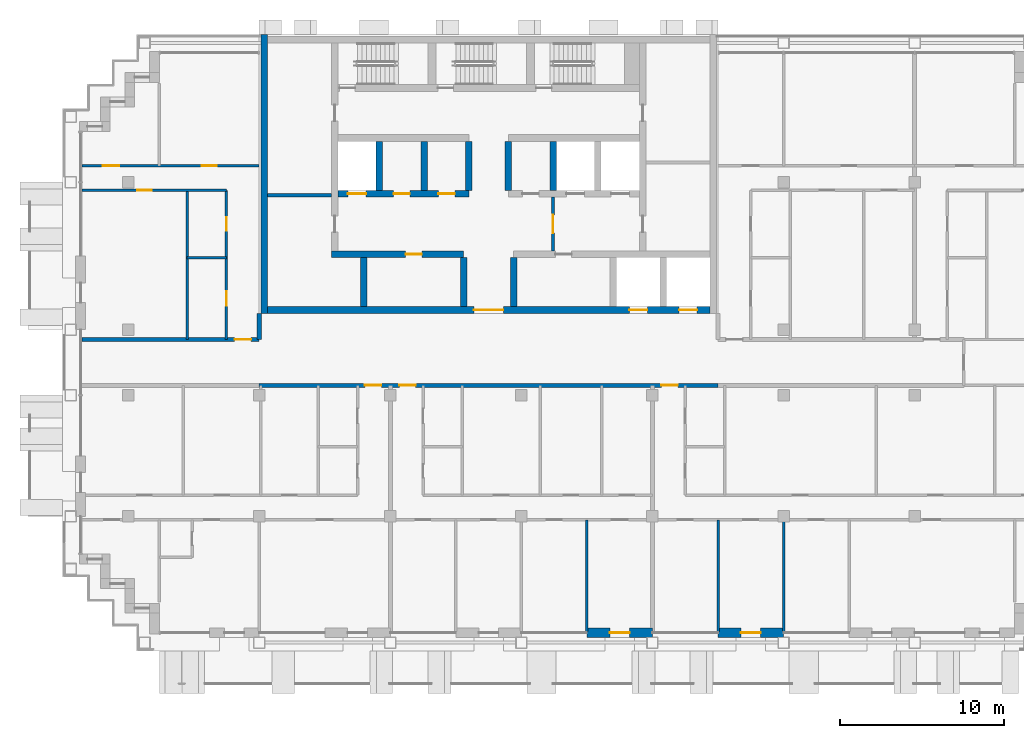
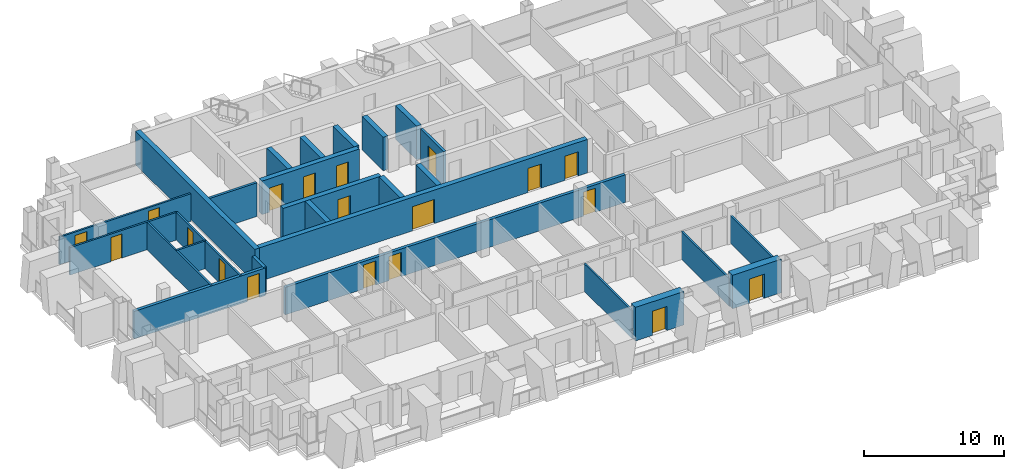
# One storey, part 9 of 16: 27 walls, 19 doors, 19 openings.
"""IFC4 building model written with IfcOpenShell, lengths in metres."""

import ifcopenshell
import ifcopenshell.guid

model = None  # the IFC model being written
_history = None  # IfcOwnerHistory: only IFC2X3 demands one
_inside = {}  # id of a spatial element -> (the spatial element, [elements in it])
_under = {}  # id of a project, library or spatial element -> (it, [spatial elements below it])
_declared = {}  # id of a project -> (the project, [libraries it declares])
_typed = {}  # id of a type object -> (the type object, [elements of that type])
_made_of = {}  # id of a material, layer set ... -> (it, [elements and type objects made of it])


def new_model(schema):
    """Start an empty IFC model of exactly this schema.

    Asked for "IFC4X3", IfcOpenShell would pick the latest addendum, in which some entities
    have other attributes; the version numbers below select the first issue.
    IFC2X3 requires an IfcOwnerHistory on every rooted entity: one is made here for all.
    """
    global model, _history
    if schema == "IFC4X3":
        model = ifcopenshell.file(schema_version=(4, 3, 0, 0))
    else:
        model = ifcopenshell.file(schema=schema)
    _inside.clear()
    _under.clear()
    _declared.clear()
    _typed.clear()
    _made_of.clear()
    _history = None
    if model.schema == "IFC2X3":
        org = make("IfcOrganization", Name="unknown")
        user = make(
            "IfcPersonAndOrganization",
            ThePerson=make("IfcPerson", FamilyName="unknown"),
            TheOrganization=org,
        )
        app = make(
            "IfcApplication",
            ApplicationDeveloper=org,
            Version="unknown",
            ApplicationFullName="unknown",
            ApplicationIdentifier="unknown",
        )
        _history = make(
            "IfcOwnerHistory",
            OwningUser=user,
            OwningApplication=app,
            ChangeAction="ADDED",
            CreationDate=0,
        )
    return model


def make(cls, **values):
    """One entity of the class cls with the attributes given. An attribute that is None is left unset."""
    return model.create_entity(
        cls, **{name: value for name, value in values.items() if value is not None}
    )


def rooted(cls, **values):
    """An entity with a GlobalId (a new one), such as an element, a storey or a relation."""
    return make(cls, GlobalId=ifcopenshell.guid.new(), OwnerHistory=_history, **values)


def si_unit(unit_type, name, prefix=None):
    """IfcSIUnit, for example si_unit("LENGTHUNIT", "METRE", prefix="MILLI")."""
    return make("IfcSIUnit", UnitType=unit_type, Prefix=prefix, Name=name)


def assignment(units):
    """IfcUnitAssignment: the units of a project."""
    return None if units is None else make("IfcUnitAssignment", Units=units)


def point(xyz):
    """IfcCartesianPoint."""
    return None if xyz is None else make("IfcCartesianPoint", Coordinates=xyz)


def direction(xyz):
    """IfcDirection."""
    return None if xyz is None else make("IfcDirection", DirectionRatios=xyz)


def frame(location, z_axis=None, x_axis=None):
    """IfcAxis2Placement3D, a coordinate frame: its origin and axes. An axis left out is left unset."""
    return make(
        "IfcAxis2Placement3D",
        Location=point(location),
        Axis=direction(z_axis),
        RefDirection=direction(x_axis),
    )


def frame_2d(location, x_axis=None):
    """IfcAxis2Placement2D, a coordinate frame in the plane: its origin and x axis."""
    return make(
        "IfcAxis2Placement2D", Location=point(location), RefDirection=direction(x_axis)
    )


def origin():
    """The frame at (0, 0, 0) with its axes left unset."""
    return frame((0.0, 0.0, 0.0))


def place(relative_to, where):
    """IfcLocalPlacement: puts the frame where relative to a parent placement (None: the world)."""
    return make(
        "IfcLocalPlacement", PlacementRelTo=relative_to, RelativePlacement=where
    )


def context(
    kind, dimensions, precision=None, world=None, true_north=None, identifier=None
):
    """IfcGeometricRepresentationContext, for example the 3D "Model" context."""
    return make(
        "IfcGeometricRepresentationContext",
        ContextIdentifier=identifier,
        ContextType=kind,
        CoordinateSpaceDimension=dimensions,
        Precision=precision,
        WorldCoordinateSystem=world,
        TrueNorth=true_north,
    )


def subcontext(parent, identifier, kind, view, scale=None):
    """IfcGeometricRepresentationSubContext, for example "Body" below "Model"."""
    return make(
        "IfcGeometricRepresentationSubContext",
        ContextIdentifier=identifier,
        ContextType=kind,
        ParentContext=parent,
        TargetScale=scale,
        TargetView=view,
    )


def project(units=None, contexts=None):
    """IfcProject with its units and contexts."""
    return rooted(
        "IfcProject",
        Name="project",
        RepresentationContexts=contexts,
        UnitsInContext=assignment(units),
    )


def spatial(cls, under=None, at=None, **own):
    """A site, building, storey or space (cls), placed at a placement, below another one or the project."""
    s = rooted(cls, ObjectPlacement=at, **own)
    if under is not None:
        _under.setdefault(under.id(), (under, []))[1].append(s)
    return s


def profile(cls, at=None, kind="AREA", **sizes):
    """A parametric profile (cls). Its sizes go by their IFC names, for example OverallWidth=200.0."""
    return make(cls, ProfileType=kind, Position=at, **sizes)


def rectangle(**sizes):
    """IfcRectangleProfileDef."""
    return profile("IfcRectangleProfileDef", **sizes)


def extrude(swept, where, along, depth):
    """IfcExtrudedAreaSolid: the profile swept, set in the frame where, extruded along a direction by depth."""
    return make(
        "IfcExtrudedAreaSolid",
        SweptArea=swept,
        Position=where,
        ExtrudedDirection=direction(along),
        Depth=depth,
    )


def shape(context_of_items, identifier, shape_type, items):
    """IfcShapeRepresentation: the items that make up one representation, for example the "Body"."""
    return make(
        "IfcShapeRepresentation",
        ContextOfItems=context_of_items,
        RepresentationIdentifier=identifier,
        RepresentationType=shape_type,
        Items=items,
    )


def material(Name=None, Category=None):
    """IfcMaterial."""
    return make("IfcMaterial", Name=Name, Category=Category)


def layer(
    of_material, thickness, ventilated=None, Name=None, Category=None, Priority=None
):
    """IfcMaterialLayer: one layer of a wall or slab, of a material (None: an air gap)."""
    return make(
        "IfcMaterialLayer",
        Material=of_material,
        LayerThickness=thickness,
        IsVentilated=ventilated,
        Name=Name,
        Category=Category,
        Priority=Priority,
    )


def layer_set(layers, Name=None):
    """IfcMaterialLayerSet."""
    return make("IfcMaterialLayerSet", MaterialLayers=layers, LayerSetName=Name)


def made_of(thing, what):
    """Note that an element or type object is made of a material, layer set ...; save() writes the relation."""
    if what is not None:
        _made_of.setdefault(what.id(), (what, []))[1].append(thing)
    return thing


def type_object(cls, material=None, **own):
    """A type object (cls), such as IfcWallType, which elements share."""
    return made_of(rooted(cls, **own), material)


def element(
    cls,
    number,
    at=None,
    inside=None,
    cuts=None,
    type_object=None,
    material=None,
    context=None,
    identifier="Body",
    shape_type=None,
    held_by="IfcProductDefinitionShape",
    body=None,
    shapes=None,
    **own,
):
    """One element of the class cls, such as IfcWall. Its Tag is "e" and its number.

    at: its placement. inside: the storey or other place that contains it. cuts: it is an
    opening in that element (IfcRelVoidsElement). A single representation is given by context,
    identifier, shape_type and body (its items); several are given by shapes. held_by: the class
    of the entity that holds the representations. save() writes the other relations.
    """
    e = rooted(cls, Tag="e%d" % number, ObjectPlacement=at, **own)
    if body is not None:
        shapes = [shape(context, identifier, shape_type, body)]
    if shapes is not None:
        e.Representation = make(held_by, Representations=shapes)
    if inside is not None:
        _inside.setdefault(inside.id(), (inside, []))[1].append(e)
    if cuts is not None:
        rooted(
            "IfcRelVoidsElement", RelatingBuildingElement=cuts, RelatedOpeningElement=e
        )
    if type_object is not None:
        _typed.setdefault(type_object.id(), (type_object, []))[1].append(e)
    return made_of(e, material)


def fill(opening, filler):
    """IfcRelFillsElement: the door or window that sits in an opening."""
    return rooted(
        "IfcRelFillsElement",
        RelatingOpeningElement=opening,
        RelatedBuildingElement=filler,
    )


def aggregate(whole, parts):
    """IfcRelAggregates: a whole, such as a stair, and the parts it consists of."""
    return rooted("IfcRelAggregates", RelatingObject=whole, RelatedObjects=parts)


def save(model, path):
    """Write the relations noted so far, then the file.

    IfcRelAggregates (storeys below a building ...), IfcRelContainedInSpatialStructure (elements
    in a storey), IfcRelDefinesByType, IfcRelAssociatesMaterial and IfcRelDeclares: one each for
    every whole, place, type object, material and project.
    """
    for whole, parts in _under.values():
        aggregate(whole, parts)
    for where, things in _inside.values():
        rooted(
            "IfcRelContainedInSpatialStructure",
            RelatedElements=things,
            RelatingStructure=where,
        )
    for kind, things in _typed.values():
        rooted("IfcRelDefinesByType", RelatedObjects=things, RelatingType=kind)
    for what, things in _made_of.values():
        rooted("IfcRelAssociatesMaterial", RelatedObjects=things, RelatingMaterial=what)
    for by, libraries in _declared.values():
        rooted("IfcRelDeclares", RelatingContext=by, RelatedDefinitions=libraries)
    model.write(path)


model = new_model("IFC4")

# Units and contexts
model_context = context("Model", 3, precision=1e-05, world=origin(), true_north=direction((0.0, 1.0)))
body_context = subcontext(model_context, "Body", "Model", "MODEL_VIEW")
ifc_project = project(units=[si_unit("LENGTHUNIT", "METRE"), si_unit("AREAUNIT", "SQUARE_METRE"), si_unit("VOLUMEUNIT", "CUBIC_METRE"), si_unit("PLANEANGLEUNIT", "RADIAN"), si_unit("MASSUNIT", "GRAM", prefix="KILO")], contexts=[model_context])

# Site, building, storey
site_placement = place(None, origin())
site = spatial("IfcSite", under=ifc_project, at=site_placement, CompositionType="ELEMENT")
building_placement = place(site_placement, origin())
building = spatial("IfcBuilding", under=site, at=building_placement, Name="Vidyagriha Tower", CompositionType="ELEMENT")
storey_placement = place(building_placement, frame((0.0, 0.0, 165.300048828125)))
storey = spatial("IfcBuildingStorey", under=building, at=storey_placement, Name="L42", CompositionType="ELEMENT", Elevation=165.300048828125)

# Wall, opening, door
ifc_material_1 = material(Name="Precast concrete C40/50 with brick facing", Category="concrete")
ifc_layer_1 = layer(ifc_material_1, 0.60009765625)
ifc_layer_set_1 = layer_set([ifc_layer_1], Name="Precast concrete C40/50 with brick facing")
wall_type_1 = type_object("IfcWallType", Name="Brick-faced precast wall 600", PredefinedType="STANDARD", material=ifc_layer_set_1)
wall_1_placement = place(storey_placement, frame((6.0, -16.5, 0.0)))
wall_1 = element("IfcWall", 1, at=wall_1_placement, inside=storey, type_object=wall_type_1, Name="Brick door bay wall L42 R23.8", PredefinedType="STANDARD", context=body_context, shape_type="SweptSolid", body=[
    extrude(rectangle(XDim=4.0, YDim=0.60009765625, at=frame_2d((2.0, 0.0))), origin(), (0.0, 0.0, 1.0), 2.919921875),
])
opening_1_placement = place(wall_1_placement, frame((1.39990234375, 0.0, 0.0)))
opening_1 = element("IfcOpeningElement", 2, at=opening_1_placement, cuts=wall_1, Name="Opening D42-71", PredefinedType="OPENING", context=body_context, shape_type="SweptSolid", body=[
    extrude(rectangle(XDim=1.199951171875, YDim=2.10009765625, at=frame_2d((0.60009765625, 1.050048828125))), frame((0.0, 0.31005859375, 0.0), z_axis=(0.0, -1.0, 0.0), x_axis=(1.0, 0.0, 0.0)), (0.0, 0.0, 1.0), 0.6201171875),
])
ifc_material_2 = material(Name="Aluminium framed glazed sliding door", Category="aluminium")
door_type_1 = type_object("IfcDoorType", Name="Balcony sliding door 1200x2100", OperationType="NOTDEFINED", PredefinedType="DOOR", material=ifc_material_2)
door_1_placement = place(opening_1_placement, origin())
door_1 = element("IfcDoor", 3, at=door_1_placement, inside=storey, type_object=door_type_1, Name="Door D42-71", OperationType="SLIDING_TO_LEFT", OverallHeight=2.10009765625, OverallWidth=1.199951171875, PredefinedType="DOOR", context=body_context, shape_type="SweptSolid", body=[
    extrude(rectangle(XDim=1.199951171875, YDim=2.10009765625, at=frame_2d((0.60009765625, 1.050048828125))), frame((0.0, 0.02490234375, 0.0), z_axis=(0.0, -1.0, 0.0), x_axis=(1.0, 0.0, 0.0)), (0.0, 0.0, 1.0), 0.050048828125),
])
fill(opening_1, door_1)

wall_2_placement = place(storey_placement, frame((14.0, -16.5, 0.0)))
wall_2 = element("IfcWall", 4, at=wall_2_placement, inside=storey, type_object=wall_type_1, Name="Brick door bay wall L42 R23.10", PredefinedType="STANDARD", context=body_context, shape_type="SweptSolid", body=[
    extrude(rectangle(XDim=4.0, YDim=0.60009765625, at=frame_2d((2.0, 0.0))), origin(), (0.0, 0.0, 1.0), 2.919921875),
])
opening_2_placement = place(wall_2_placement, frame((1.39990234375, 0.0, 0.0)))
opening_2 = element("IfcOpeningElement", 5, at=opening_2_placement, cuts=wall_2, Name="Opening D42-72", PredefinedType="OPENING", context=body_context, shape_type="SweptSolid", body=[
    extrude(rectangle(XDim=1.199951171875, YDim=2.10009765625, at=frame_2d((0.60009765625, 1.050048828125))), frame((0.0, 0.31005859375, 0.0), z_axis=(0.0, -1.0, 0.0), x_axis=(1.0, 0.0, 0.0)), (0.0, 0.0, 1.0), 0.6201171875),
])
door_2_placement = place(opening_2_placement, origin())
door_2 = element("IfcDoor", 6, at=door_2_placement, inside=storey, type_object=door_type_1, Name="Door D42-72", OperationType="SLIDING_TO_LEFT", OverallHeight=2.10009765625, OverallWidth=1.199951171875, PredefinedType="DOOR", context=body_context, shape_type="SweptSolid", body=[
    extrude(rectangle(XDim=1.199951171875, YDim=2.10009765625, at=frame_2d((0.60009765625, 1.050048828125))), frame((0.0, 0.02490234375, 0.0), z_axis=(0.0, -1.0, 0.0), x_axis=(1.0, 0.0, 0.0)), (0.0, 0.0, 1.0), 0.050048828125),
])
fill(opening_2, door_2)

# Wall
ifc_material_3 = material(Name="Concrete C60/75", Category="concrete")
ifc_layer_2 = layer(ifc_material_3, 0.39990234375)
ifc_layer_set_2 = layer_set([ifc_layer_2], Name="Concrete C60/75")
wall_type_2 = type_object("IfcWallType", Name="Core shear wall 400 mm", PredefinedType="SHEAR", material=ifc_layer_set_2)
wall_3_placement = place(storey_placement, frame((-13.699951171875, 3.0, 0.0), z_axis=(0.0, 0.0, 1.0), x_axis=(0.0, 1.0, 0.0)))
element("IfcWall", 7, at=wall_3_placement, inside=storey, type_object=wall_type_2, Name="Core west wall", PredefinedType="SHEAR", context=body_context, shape_type="SweptSolid", body=[
    extrude(rectangle(XDim=17.0, YDim=0.39990234375, at=frame_2d((8.5, 0.0))), origin(), (0.0, 0.0, 1.0), 2.919921875),
])

# Wall, openings, doors
wall_4_placement = place(storey_placement, frame((-13.5, 3.199951171875, 0.0)))
wall_4 = element("IfcWall", 8, at=wall_4_placement, inside=storey, type_object=wall_type_2, Name="Core front wall", PredefinedType="SHEAR", context=body_context, shape_type="SweptSolid", body=[
    extrude(rectangle(XDim=27.0, YDim=0.39990234375, at=frame_2d((13.5, 0.0))), origin(), (0.0, 0.0, 1.0), 2.919921875),
])
opening_3_placement = place(wall_4_placement, frame((22.083251953125, 0.0, 0.0)))
opening_3 = element("IfcOpeningElement", 9, at=opening_3_placement, cuts=wall_4, Name="Opening LD42-01", PredefinedType="OPENING", context=body_context, shape_type="SweptSolid", body=[
    extrude(rectangle(XDim=1.10009765625, YDim=2.10009765625, at=frame_2d((0.550048828125, 1.050048828125))), frame((0.0, 0.2099609375, 0.0), z_axis=(0.0, -1.0, 0.0), x_axis=(1.0, 0.0, 0.0)), (0.0, 0.0, 1.0), 0.419921875),
])
opening_4_placement = place(wall_4_placement, frame((25.127685546875, 0.0, 0.0)))
opening_4 = element("IfcOpeningElement", 10, at=opening_4_placement, cuts=wall_4, Name="Opening LD42-02", PredefinedType="OPENING", context=body_context, shape_type="SweptSolid", body=[
    extrude(rectangle(XDim=1.10009765625, YDim=2.10009765625, at=frame_2d((0.550048828125, 1.050048828125))), frame((0.0, 0.2099609375, 0.0), z_axis=(0.0, -1.0, 0.0), x_axis=(1.0, 0.0, 0.0)), (0.0, 0.0, 1.0), 0.419921875),
])
opening_5_placement = place(wall_4_placement, frame((12.60009765625, 0.0, 0.0)))
opening_5 = element("IfcOpeningElement", 11, at=opening_5_placement, cuts=wall_4, Name="Opening D42-01", PredefinedType="OPENING", context=body_context, shape_type="SweptSolid", body=[
    extrude(rectangle(XDim=1.800048828125, YDim=2.10009765625, at=frame_2d((0.89990234375, 1.050048828125))), frame((0.0, 0.2099609375, 0.0), z_axis=(0.0, -1.0, 0.0), x_axis=(1.0, 0.0, 0.0)), (0.0, 0.0, 1.0), 0.419921875),
])
ifc_material_4 = material(Name="Hollow metal door leaf")
door_type_2 = type_object("IfcDoorType", Name="Core lobby double door 1800 x 2100 mm EI 60", OperationType="NOTDEFINED", PredefinedType="DOOR", material=ifc_material_4)
door_3_placement = place(opening_5_placement, frame((1.800048828125, 0.0, 0.0), z_axis=(0.0, 0.0, 1.0), x_axis=(-1.0, 0.0, 0.0)))
door_3 = element("IfcDoor", 12, at=door_3_placement, inside=storey, type_object=door_type_2, Name="Core entrance door L42", OperationType="DOUBLE_DOOR_SINGLE_SWING", OverallHeight=2.10009765625, OverallWidth=1.800048828125, PredefinedType="DOOR", context=body_context, shape_type="SweptSolid", body=[
    extrude(rectangle(XDim=1.800048828125, YDim=2.10009765625, at=frame_2d((0.89990234375, 1.050048828125))), frame((0.0, 0.02490234375, 0.0), z_axis=(0.0, -1.0, 0.0), x_axis=(1.0, 0.0, 0.0)), (0.0, 0.0, 1.0), 0.050048828125),
])
fill(opening_5, door_3)
ifc_material_5 = material(Name="Stainless steel sliding door panel", Category="steel")
door_type_3 = type_object("IfcDoorType", Name="Lift landing door 1100 x 2100 mm EI 90", OperationType="NOTDEFINED", PredefinedType="DOOR", material=ifc_material_5)
door_4_placement = place(opening_3_placement, origin())
door_4 = element("IfcDoor", 13, at=door_4_placement, inside=storey, type_object=door_type_3, Name="Landing door MR1 L42", OperationType="SLIDING_TO_LEFT", OverallHeight=2.10009765625, OverallWidth=1.10009765625, PredefinedType="DOOR", context=body_context, shape_type="SweptSolid", body=[
    extrude(rectangle(XDim=1.10009765625, YDim=2.10009765625, at=frame_2d((0.550048828125, 1.050048828125))), frame((0.0, 0.02490234375, 0.0), z_axis=(0.0, -1.0, 0.0), x_axis=(1.0, 0.0, 0.0)), (0.0, 0.0, 1.0), 0.050048828125),
])
fill(opening_3, door_4)
door_5_placement = place(opening_4_placement, origin())
door_5 = element("IfcDoor", 14, at=door_5_placement, inside=storey, type_object=door_type_3, Name="Landing door MR2 L42", OperationType="SLIDING_TO_LEFT", OverallHeight=2.10009765625, OverallWidth=1.10009765625, PredefinedType="DOOR", context=body_context, shape_type="SweptSolid", body=[
    extrude(rectangle(XDim=1.10009765625, YDim=2.10009765625, at=frame_2d((0.550048828125, 1.050048828125))), frame((0.0, 0.02490234375, 0.0), z_axis=(0.0, -1.0, 0.0), x_axis=(1.0, 0.0, 0.0)), (0.0, 0.0, 1.0), 0.050048828125),
])
fill(opening_4, door_5)

# Wall, opening, door
wall_5_placement = place(storey_placement, frame((-9.60009765625, 6.60009765625, 0.0)))
wall_5 = element("IfcWall", 15, at=wall_5_placement, inside=storey, type_object=wall_type_2, Name="Core lobby south wall west", PredefinedType="SHEAR", context=body_context, shape_type="SweptSolid", body=[
    extrude(rectangle(XDim=8.077880859375, YDim=0.39990234375, at=frame_2d((4.0390625, 0.0))), origin(), (0.0, 0.0, 1.0), 2.919921875),
])
opening_6_placement = place(wall_5_placement, frame((4.533203125, 0.0, 0.0)))
opening_6 = element("IfcOpeningElement", 16, at=opening_6_placement, cuts=wall_5, Name="Opening D42-02", PredefinedType="OPENING", context=body_context, shape_type="SweptSolid", body=[
    extrude(rectangle(XDim=1.0, YDim=2.10009765625, at=frame_2d((0.5, 1.050048828125))), frame((0.0, 0.2099609375, 0.0), z_axis=(0.0, -1.0, 0.0), x_axis=(1.0, 0.0, 0.0)), (0.0, 0.0, 1.0), 0.419921875),
])
ifc_material_6 = material(Name="Hollow metal door leaf")
door_type_4 = type_object("IfcDoorType", Name="Core room door 1000 x 2100 mm EI 60", OperationType="NOTDEFINED", PredefinedType="DOOR", material=ifc_material_6)
door_6_placement = place(opening_6_placement, origin())
door_6 = element("IfcDoor", 17, at=door_6_placement, inside=storey, type_object=door_type_4, Name="Door Storage Room 42.01", OperationType="SINGLE_SWING_RIGHT", OverallHeight=2.10009765625, OverallWidth=1.0, PredefinedType="DOOR", context=body_context, shape_type="SweptSolid", body=[
    extrude(rectangle(XDim=1.0, YDim=2.10009765625, at=frame_2d((0.5, 1.050048828125))), frame((0.0, 0.02490234375, 0.0), z_axis=(0.0, -1.0, 0.0), x_axis=(1.0, 0.0, 0.0)), (0.0, 0.0, 1.0), 0.050048828125),
])
fill(opening_6, door_6)

# Walls
for number, where, z_axis, x_axis, name in (
    (18, (-7.611083984375, 3.39990234375, 0.0), (0.0, 0.0, 1.0), (0.0, 1.0, 0.0), "Core bay wall S2"),
    (19, (-1.522216796875, 3.39990234375, 0.0), (0.0, 0.0, 1.0), (0.0, 1.0, 0.0), "Core bay wall S4"),
    (20, (1.522216796875, 3.39990234375, 0.0), (0.0, 0.0, 1.0), (0.0, 1.0, 0.0), "Core bay wall S5"),
):
    element("IfcWall", number, at=place(storey_placement, frame(where, z_axis=z_axis, x_axis=x_axis)), inside=storey, type_object=wall_type_2, Name=name, PredefinedType="SHEAR", context=body_context, shape_type="SweptSolid", body=[
        extrude(rectangle(XDim=3.0, YDim=0.39990234375, at=frame_2d((1.5, 0.0))), origin(), (0.0, 0.0, 1.0), 2.919921875),
    ])

# Wall, openings, doors
wall_6_placement = place(storey_placement, frame((-9.199951171875, 10.300048828125, 0.0)))
wall_6 = element("IfcWall", 21, at=wall_6_placement, inside=storey, type_object=wall_type_2, Name="Core row N front wall", PredefinedType="SHEAR", context=body_context, shape_type="SweptSolid", body=[
    extrude(rectangle(XDim=8.0, YDim=0.39990234375, at=frame_2d((4.0, 0.0))), origin(), (0.0, 0.0, 1.0), 2.919921875),
])
opening_7_placement = place(wall_6_placement, frame((0.61669921875, 0.0, 0.0)))
opening_7 = element("IfcOpeningElement", 22, at=opening_7_placement, cuts=wall_6, Name="Opening LD42-03", PredefinedType="OPENING", context=body_context, shape_type="SweptSolid", body=[
    extrude(rectangle(XDim=1.10009765625, YDim=2.10009765625, at=frame_2d((0.550048828125, 1.050048828125))), frame((0.0, 0.2099609375, 0.0), z_axis=(0.0, -1.0, 0.0), x_axis=(1.0, 0.0, 0.0)), (0.0, 0.0, 1.0), 0.419921875),
])
opening_8_placement = place(wall_6_placement, frame((3.39990234375, 0.0, 0.0)))
opening_8 = element("IfcOpeningElement", 23, at=opening_8_placement, cuts=wall_6, Name="Opening D42-04", PredefinedType="OPENING", context=body_context, shape_type="SweptSolid", body=[
    extrude(rectangle(XDim=1.0, YDim=2.10009765625, at=frame_2d((0.5, 1.050048828125))), frame((0.0, 0.2099609375, 0.0), z_axis=(0.0, -1.0, 0.0), x_axis=(1.0, 0.0, 0.0)), (0.0, 0.0, 1.0), 0.419921875),
])
opening_9_placement = place(wall_6_placement, frame((6.13330078125, 0.0, 0.0)))
opening_9 = element("IfcOpeningElement", 24, at=opening_9_placement, cuts=wall_6, Name="Opening D42-05", PredefinedType="OPENING", context=body_context, shape_type="SweptSolid", body=[
    extrude(rectangle(XDim=1.0, YDim=2.10009765625, at=frame_2d((0.5, 1.050048828125))), frame((0.0, 0.2099609375, 0.0), z_axis=(0.0, -1.0, 0.0), x_axis=(1.0, 0.0, 0.0)), (0.0, 0.0, 1.0), 0.419921875),
])
door_7_placement = place(opening_8_placement, frame((1.0, 0.0, 0.0), z_axis=(0.0, 0.0, 1.0), x_axis=(-1.0, 0.0, 0.0)))
door_7 = element("IfcDoor", 25, at=door_7_placement, inside=storey, type_object=door_type_4, Name="Door Pressurisation Plant Room 42.14", OperationType="SINGLE_SWING_RIGHT", OverallHeight=2.10009765625, OverallWidth=1.0, PredefinedType="DOOR", context=body_context, shape_type="SweptSolid", body=[
    extrude(rectangle(XDim=1.0, YDim=2.10009765625, at=frame_2d((0.5, 1.050048828125))), frame((0.0, 0.02490234375, 0.0), z_axis=(0.0, -1.0, 0.0), x_axis=(1.0, 0.0, 0.0)), (0.0, 0.0, 1.0), 0.050048828125),
])
fill(opening_8, door_7)
door_8_placement = place(opening_9_placement, frame((1.0, 0.0, 0.0), z_axis=(0.0, 0.0, 1.0), x_axis=(-1.0, 0.0, 0.0)))
door_8 = element("IfcDoor", 26, at=door_8_placement, inside=storey, type_object=door_type_4, Name="Door Switchgear Room 42.15", OperationType="SINGLE_SWING_LEFT", OverallHeight=2.10009765625, OverallWidth=1.0, PredefinedType="DOOR", context=body_context, shape_type="SweptSolid", body=[
    extrude(rectangle(XDim=1.0, YDim=2.10009765625, at=frame_2d((0.5, 1.050048828125))), frame((0.0, 0.02490234375, 0.0), z_axis=(0.0, -1.0, 0.0), x_axis=(1.0, 0.0, 0.0)), (0.0, 0.0, 1.0), 0.050048828125),
])
fill(opening_9, door_8)
door_9_placement = place(opening_7_placement, origin())
door_9 = element("IfcDoor", 27, at=door_9_placement, inside=storey, type_object=door_type_3, Name="Landing door MR3 L42", OperationType="SLIDING_TO_LEFT", OverallHeight=2.10009765625, OverallWidth=1.10009765625, PredefinedType="DOOR", context=body_context, shape_type="SweptSolid", body=[
    extrude(rectangle(XDim=1.10009765625, YDim=2.10009765625, at=frame_2d((0.550048828125, 1.050048828125))), frame((0.0, 0.02490234375, 0.0), z_axis=(0.0, -1.0, 0.0), x_axis=(1.0, 0.0, 0.0)), (0.0, 0.0, 1.0), 0.050048828125),
])
fill(opening_7, door_9)

# Walls
for number, where, z_axis, x_axis, name in (
    (28, (-6.666748046875, 10.5, 0.0), (0.0, 0.0, 1.0), (0.0, 1.0, 0.0), "Core bay wall N1"),
    (29, (-3.933349609375, 10.5, 0.0), (0.0, 0.0, 1.0), (0.0, 1.0, 0.0), "Core bay wall N2"),
    (30, (-1.199951171875, 10.5, 0.0), (0.0, 0.0, 1.0), (0.0, 1.0, 0.0), "Core bay wall N3"),
    (31, (1.199951171875, 10.5, 0.0), (0.0, 0.0, 1.0), (0.0, 1.0, 0.0), "Core bay wall N4"),
    (32, (3.933349609375, 10.5, 0.0), (0.0, 0.0, 1.0), (0.0, 1.0, 0.0), "Core bay wall N5"),
):
    element("IfcWall", number, at=place(storey_placement, frame(where, z_axis=z_axis, x_axis=x_axis)), inside=storey, type_object=wall_type_2, Name=name, PredefinedType="SHEAR", context=body_context, shape_type="SweptSolid", body=[
        extrude(rectangle(XDim=3.0, YDim=0.39990234375, at=frame_2d((1.5, 0.0))), origin(), (0.0, 0.0, 1.0), 2.919921875),
    ])

# Wall, opening, door
ifc_material_7 = material(Name="Fired clay brick masonry", Category="masonry")
ifc_layer_3 = layer(ifc_material_7, 0.25)
ifc_layer_set_3 = layer_set([ifc_layer_3], Name="Fired clay brick masonry")
wall_type_3 = type_object("IfcWallType", Name="Fired clay brick corridor wall 250", PredefinedType="PARTITIONING", material=ifc_layer_set_3)
wall_7_placement = place(storey_placement, frame((-24.820068359375, 1.39990234375, 0.0)))
wall_7 = element("IfcWall", 33, at=wall_7_placement, inside=storey, type_object=wall_type_3, Name="Wall all-L42-w081", PredefinedType="PARTITIONING", context=body_context, shape_type="SweptSolid", body=[
    extrude(rectangle(XDim=10.820068359375, YDim=0.25, at=frame_2d((5.41015625, 0.0))), origin(), (0.0, 0.0, 1.0), 2.39990234375),
])
opening_10_placement = place(wall_7_placement, frame((9.320068359375, 0.0, 0.0)))
opening_10 = element("IfcOpeningElement", 34, at=opening_10_placement, cuts=wall_7, Name="Opening D42-51", PredefinedType="OPENING", context=body_context, shape_type="SweptSolid", body=[
    extrude(rectangle(XDim=1.0, YDim=2.10009765625, at=frame_2d((0.5, 1.050048828125))), frame((0.0, 0.135009765625, 0.0), z_axis=(0.0, -1.0, 0.0), x_axis=(1.0, 0.0, 0.0)), (0.0, 0.0, 1.0), 0.27001953125),
])
ifc_material_8 = material(Name="Fire-rated timber door leaf EI 60", Category="wood")
door_type_5 = type_object("IfcDoorType", Name="Flat entrance fire door 1000x2100", OperationType="NOTDEFINED", PredefinedType="DOOR", material=ifc_material_8)
door_10_placement = place(opening_10_placement, origin())
door_10 = element("IfcDoor", 35, at=door_10_placement, inside=storey, type_object=door_type_5, Name="Door D42-51", OperationType="SINGLE_SWING_RIGHT", OverallHeight=2.10009765625, OverallWidth=1.0, PredefinedType="DOOR", context=body_context, shape_type="SweptSolid", body=[
    extrude(rectangle(XDim=1.0, YDim=2.10009765625, at=frame_2d((0.5, 1.050048828125))), frame((0.0, 0.02490234375, 0.0), z_axis=(0.0, -1.0, 0.0), x_axis=(1.0, 0.0, 0.0)), (0.0, 0.0, 1.0), 0.050048828125),
])
fill(opening_10, door_10)

# Wall, openings, doors
wall_8_placement = place(storey_placement, frame((14.0, -1.39990234375, 0.0), z_axis=(0.0, 0.0, 1.0), x_axis=(-1.0, 0.0, 0.0)))
wall_8 = element("IfcWall", 36, at=wall_8_placement, inside=storey, type_object=wall_type_3, Name="Wall all-L42-w113", PredefinedType="PARTITIONING", context=body_context, shape_type="SweptSolid", body=[
    extrude(rectangle(XDim=28.0, YDim=0.25, at=frame_2d((14.0, 0.0))), origin(), (0.0, 0.0, 1.0), 2.39990234375),
])
opening_11_placement = place(wall_8_placement, frame((20.547119140625, 0.0, 0.0)))
opening_11 = element("IfcOpeningElement", 37, at=opening_11_placement, cuts=wall_8, Name="Opening D42-24", PredefinedType="OPENING", context=body_context, shape_type="SweptSolid", body=[
    extrude(rectangle(XDim=1.0, YDim=2.10009765625, at=frame_2d((0.5, 1.050048828125))), frame((0.0, 0.135009765625, 0.0), z_axis=(0.0, -1.0, 0.0), x_axis=(1.0, 0.0, 0.0)), (0.0, 0.0, 1.0), 0.27001953125),
])
opening_12_placement = place(wall_8_placement, frame((18.452880859375, 0.0, 0.0)))
opening_12 = element("IfcOpeningElement", 38, at=opening_12_placement, cuts=wall_8, Name="Opening D42-34", PredefinedType="OPENING", context=body_context, shape_type="SweptSolid", body=[
    extrude(rectangle(XDim=1.0, YDim=2.10009765625, at=frame_2d((0.5, 1.050048828125))), frame((0.0, 0.135009765625, 0.0), z_axis=(0.0, -1.0, 0.0), x_axis=(1.0, 0.0, 0.0)), (0.0, 0.0, 1.0), 0.27001953125),
])
opening_13_placement = place(wall_8_placement, frame((2.452880859375, 0.0, 0.0)))
opening_13 = element("IfcOpeningElement", 39, at=opening_13_placement, cuts=wall_8, Name="Opening D42-45", PredefinedType="OPENING", context=body_context, shape_type="SweptSolid", body=[
    extrude(rectangle(XDim=1.0, YDim=2.10009765625, at=frame_2d((0.5, 1.050048828125))), frame((0.0, 0.135009765625, 0.0), z_axis=(0.0, -1.0, 0.0), x_axis=(1.0, 0.0, 0.0)), (0.0, 0.0, 1.0), 0.27001953125),
])
door_11_placement = place(opening_11_placement, origin())
door_11 = element("IfcDoor", 40, at=door_11_placement, inside=storey, type_object=door_type_5, Name="Door D42-24", OperationType="SINGLE_SWING_LEFT", OverallHeight=2.10009765625, OverallWidth=1.0, PredefinedType="DOOR", context=body_context, shape_type="SweptSolid", body=[
    extrude(rectangle(XDim=1.0, YDim=2.10009765625, at=frame_2d((0.5, 1.050048828125))), frame((0.0, 0.02490234375, 0.0), z_axis=(0.0, -1.0, 0.0), x_axis=(1.0, 0.0, 0.0)), (0.0, 0.0, 1.0), 0.050048828125),
])
fill(opening_11, door_11)
door_12_placement = place(opening_12_placement, origin())
door_12 = element("IfcDoor", 41, at=door_12_placement, inside=storey, type_object=door_type_5, Name="Door D42-34", OperationType="SINGLE_SWING_RIGHT", OverallHeight=2.10009765625, OverallWidth=1.0, PredefinedType="DOOR", context=body_context, shape_type="SweptSolid", body=[
    extrude(rectangle(XDim=1.0, YDim=2.10009765625, at=frame_2d((0.5, 1.050048828125))), frame((0.0, 0.02490234375, 0.0), z_axis=(0.0, -1.0, 0.0), x_axis=(1.0, 0.0, 0.0)), (0.0, 0.0, 1.0), 0.050048828125),
])
fill(opening_12, door_12)
door_13_placement = place(opening_13_placement, origin())
door_13 = element("IfcDoor", 42, at=door_13_placement, inside=storey, type_object=door_type_5, Name="Door D42-45", OperationType="SINGLE_SWING_RIGHT", OverallHeight=2.10009765625, OverallWidth=1.0, PredefinedType="DOOR", context=body_context, shape_type="SweptSolid", body=[
    extrude(rectangle(XDim=1.0, YDim=2.10009765625, at=frame_2d((0.5, 1.050048828125))), frame((0.0, 0.02490234375, 0.0), z_axis=(0.0, -1.0, 0.0), x_axis=(1.0, 0.0, 0.0)), (0.0, 0.0, 1.0), 0.050048828125),
])
fill(opening_13, door_13)

# Walls
wall_9_placement = place(storey_placement, frame((-14.0, 3.0, 0.0), z_axis=(0.0, 0.0, 1.0), x_axis=(0.0, -1.0, 0.0)))
element("IfcWall", 43, at=wall_9_placement, inside=storey, type_object=wall_type_3, Name="Wall all-L42-w114", PredefinedType="PARTITIONING", context=body_context, shape_type="SweptSolid", body=[
    extrude(rectangle(XDim=1.60009765625, YDim=0.25, at=frame_2d((0.800048828125, 0.0))), origin(), (0.0, 0.0, 1.0), 2.39990234375),
])
ifc_material_9 = material(Name="Gypsum board partition")
ifc_layer_4 = layer(ifc_material_9, 0.14990234375)
ifc_layer_set_4 = layer_set([ifc_layer_4], Name="Gypsum board partition")
wall_type_4 = type_object("IfcWallType", Name="Gypsum board partition 150", PredefinedType="PARTITIONING", material=ifc_layer_set_4)
for number, where, z_axis, x_axis, name in (
    (44, (6.0, -9.60009765625, 0.0), (0.0, 0.0, 1.0), (0.0, -1.0, 0.0), "Wall all-L42-w040"),
    (45, (14.0, -9.60009765625, 0.0), (0.0, 0.0, 1.0), (0.0, -1.0, 0.0), "Wall all-L42-w060"),
):
    element("IfcWall", number, at=place(storey_placement, frame(where, z_axis=z_axis, x_axis=x_axis)), inside=storey, type_object=wall_type_4, Name=name, PredefinedType="PARTITIONING", context=body_context, shape_type="SweptSolid", body=[
        extrude(rectangle(XDim=6.82080078125, YDim=0.14990234375, at=frame_2d((3.410400390625, 0.0))), origin(), (0.0, 0.0, 1.0), 2.39990234375),
    ])
wall_10_placement = place(storey_placement, frame((18.0, -9.60009765625, 0.0), z_axis=(0.0, 0.0, 1.0), x_axis=(0.0, -1.0, 0.0)))
element("IfcWall", 46, at=wall_10_placement, inside=storey, type_object=wall_type_4, Name="Wall all-L42-w061", PredefinedType="PARTITIONING", context=body_context, shape_type="SweptSolid", body=[
    extrude(rectangle(XDim=6.809814453125, YDim=0.14990234375, at=frame_2d((3.40478515625, 0.0))), origin(), (0.0, 0.0, 1.0), 2.39990234375),
])
wall_11_placement = place(storey_placement, frame((-18.39990234375, 6.39990234375, 0.0)))
element("IfcWall", 47, at=wall_11_placement, inside=storey, type_object=wall_type_4, Name="Wall all-L42-w072", PredefinedType="PARTITIONING", context=body_context, shape_type="SweptSolid", body=[
    extrude(rectangle(XDim=2.39990234375, YDim=0.14990234375, at=frame_2d((1.199951171875, 0.0))), origin(), (0.0, 0.0, 1.0), 2.39990234375),
])
wall_12_placement = place(storey_placement, frame((-18.39990234375, 1.39990234375, 0.0), z_axis=(0.0, 0.0, 1.0), x_axis=(0.0, 1.0, 0.0)))
element("IfcWall", 48, at=wall_12_placement, inside=storey, type_object=wall_type_4, Name="Wall all-L42-w073", PredefinedType="PARTITIONING", context=body_context, shape_type="SweptSolid", body=[
    extrude(rectangle(XDim=9.10009765625, YDim=0.14990234375, at=frame_2d((4.550048828125, 0.0))), origin(), (0.0, 0.0, 1.0), 2.39990234375),
])

# Wall, opening, door
wall_13_placement = place(storey_placement, frame((-16.0, 10.5, 0.0), z_axis=(0.0, 0.0, 1.0), x_axis=(-1.0, 0.0, 0.0)))
wall_13 = element("IfcWall", 49, at=wall_13_placement, inside=storey, type_object=wall_type_4, Name="Wall all-L42-w074", PredefinedType="PARTITIONING", context=body_context, shape_type="SweptSolid", body=[
    extrude(rectangle(XDim=8.820068359375, YDim=0.14990234375, at=frame_2d((4.41015625, 0.0))), origin(), (0.0, 0.0, 1.0), 2.39990234375),
])
opening_14_placement = place(wall_13_placement, frame((4.552978515625, 0.0, 0.0)))
opening_14 = element("IfcOpeningElement", 50, at=opening_14_placement, cuts=wall_13, Name="Opening D42-48", PredefinedType="OPENING", context=body_context, shape_type="SweptSolid", body=[
    extrude(rectangle(XDim=0.89990234375, YDim=2.10009765625, at=frame_2d((0.449951171875, 1.050048828125))), frame((0.0, 0.0849609375, 0.0), z_axis=(0.0, -1.0, 0.0), x_axis=(1.0, 0.0, 0.0)), (0.0, 0.0, 1.0), 0.169921875),
])
ifc_material_10 = material(Name="Timber door leaf", Category="wood")
door_type_6 = type_object("IfcDoorType", Name="Room door 900x2100", OperationType="NOTDEFINED", PredefinedType="DOOR", material=ifc_material_10)
door_14_placement = place(opening_14_placement, origin())
door_14 = element("IfcDoor", 51, at=door_14_placement, inside=storey, type_object=door_type_6, Name="Door D42-48", OperationType="SINGLE_SWING_LEFT", OverallHeight=2.10009765625, OverallWidth=0.89990234375, PredefinedType="DOOR", context=body_context, shape_type="SweptSolid", body=[
    extrude(rectangle(XDim=0.89990234375, YDim=2.10009765625, at=frame_2d((0.449951171875, 1.050048828125))), frame((0.0, 0.02490234375, 0.0), z_axis=(0.0, -1.0, 0.0), x_axis=(1.0, 0.0, 0.0)), (0.0, 0.0, 1.0), 0.050048828125),
])
fill(opening_14, door_14)

# Wall, openings, doors
wall_14_placement = place(storey_placement, frame((-24.820068359375, 12.0, 0.0)))
wall_14 = element("IfcWall", 52, at=wall_14_placement, inside=storey, type_object=wall_type_4, Name="Wall all-L42-w076", PredefinedType="PARTITIONING", context=body_context, shape_type="SweptSolid", body=[
    extrude(rectangle(XDim=10.820068359375, YDim=0.14990234375, at=frame_2d((5.41015625, 0.0))), origin(), (0.0, 0.0, 1.0), 2.39990234375),
])
opening_15_placement = place(wall_14_placement, frame((1.27294921875, 0.0, 0.0)))
opening_15 = element("IfcOpeningElement", 53, at=opening_15_placement, cuts=wall_14, Name="Opening D42-49", PredefinedType="OPENING", context=body_context, shape_type="SweptSolid", body=[
    extrude(rectangle(XDim=1.0, YDim=2.10009765625, at=frame_2d((0.5, 1.050048828125))), frame((0.0, 0.0849609375, 0.0), z_axis=(0.0, -1.0, 0.0), x_axis=(1.0, 0.0, 0.0)), (0.0, 0.0, 1.0), 0.169921875),
])
opening_16_placement = place(wall_14_placement, frame((7.320068359375, 0.0, 0.0)))
opening_16 = element("IfcOpeningElement", 54, at=opening_16_placement, cuts=wall_14, Name="Opening D42-50", PredefinedType="OPENING", context=body_context, shape_type="SweptSolid", body=[
    extrude(rectangle(XDim=0.89990234375, YDim=2.10009765625, at=frame_2d((0.449951171875, 1.050048828125))), frame((0.0, 0.0849609375, 0.0), z_axis=(0.0, -1.0, 0.0), x_axis=(1.0, 0.0, 0.0)), (0.0, 0.0, 1.0), 0.169921875),
])
ifc_material_11 = material(Name="Timber door leaf", Category="wood")
door_type_7 = type_object("IfcDoorType", Name="Room door 1000x2100", OperationType="NOTDEFINED", PredefinedType="DOOR", material=ifc_material_11)
door_15_placement = place(opening_15_placement, origin())
door_15 = element("IfcDoor", 55, at=door_15_placement, inside=storey, type_object=door_type_7, Name="Door D42-49", OperationType="SINGLE_SWING_LEFT", OverallHeight=2.10009765625, OverallWidth=1.0, PredefinedType="DOOR", context=body_context, shape_type="SweptSolid", body=[
    extrude(rectangle(XDim=1.0, YDim=2.10009765625, at=frame_2d((0.5, 1.050048828125))), frame((0.0, 0.02490234375, 0.0), z_axis=(0.0, -1.0, 0.0), x_axis=(1.0, 0.0, 0.0)), (0.0, 0.0, 1.0), 0.050048828125),
])
fill(opening_15, door_15)
door_16_placement = place(opening_16_placement, origin())
door_16 = element("IfcDoor", 56, at=door_16_placement, inside=storey, type_object=door_type_6, Name="Door D42-50", OperationType="SINGLE_SWING_RIGHT", OverallHeight=2.10009765625, OverallWidth=0.89990234375, PredefinedType="DOOR", context=body_context, shape_type="SweptSolid", body=[
    extrude(rectangle(XDim=0.89990234375, YDim=2.10009765625, at=frame_2d((0.449951171875, 1.050048828125))), frame((0.0, 0.02490234375, 0.0), z_axis=(0.0, -1.0, 0.0), x_axis=(1.0, 0.0, 0.0)), (0.0, 0.0, 1.0), 0.050048828125),
])
fill(opening_16, door_16)

ifc_material_12 = material(Name="Moisture resistant gypsum board partition")
ifc_layer_5 = layer(ifc_material_12, 0.14990234375)
ifc_layer_set_5 = layer_set([ifc_layer_5], Name="Moisture resistant gypsum board partition")
wall_type_5 = type_object("IfcWallType", Name="Gypsum board wet-area partition 150", PredefinedType="PARTITIONING", material=ifc_layer_set_5)
wall_15_placement = place(storey_placement, frame((-16.0, 1.39990234375, 0.0), z_axis=(0.0, 0.0, 1.0), x_axis=(0.0, 1.0, 0.0)))
wall_15 = element("IfcWall", 57, at=wall_15_placement, inside=storey, type_object=wall_type_5, Name="Wall all-L42-w069", PredefinedType="PARTITIONING", context=body_context, shape_type="SweptSolid", body=[
    extrude(rectangle(XDim=9.10009765625, YDim=0.14990234375, at=frame_2d((4.550048828125, 0.0))), origin(), (0.0, 0.0, 1.0), 2.39990234375),
])
opening_17_placement = place(wall_15_placement, frame((2.050048828125, 0.0, 0.0)))
opening_17 = element("IfcOpeningElement", 58, at=opening_17_placement, cuts=wall_15, Name="Opening D42-46", PredefinedType="OPENING", context=body_context, shape_type="SweptSolid", body=[
    extrude(rectangle(XDim=0.89990234375, YDim=2.10009765625, at=frame_2d((0.449951171875, 1.050048828125))), frame((0.0, 0.0849609375, 0.0), z_axis=(0.0, -1.0, 0.0), x_axis=(1.0, 0.0, 0.0)), (0.0, 0.0, 1.0), 0.169921875),
])
opening_18_placement = place(wall_15_placement, frame((6.64990234375, 0.0, 0.0)))
opening_18 = element("IfcOpeningElement", 59, at=opening_18_placement, cuts=wall_15, Name="Opening D42-47", PredefinedType="OPENING", context=body_context, shape_type="SweptSolid", body=[
    extrude(rectangle(XDim=0.800048828125, YDim=2.10009765625, at=frame_2d((0.39990234375, 1.050048828125))), frame((0.0, 0.0849609375, 0.0), z_axis=(0.0, -1.0, 0.0), x_axis=(1.0, 0.0, 0.0)), (0.0, 0.0, 1.0), 0.169921875),
])
ifc_material_13 = material(Name="Timber door leaf", Category="wood")
door_type_8 = type_object("IfcDoorType", Name="Bathroom door 800x2100", OperationType="NOTDEFINED", PredefinedType="DOOR", material=ifc_material_13)
door_17_placement = place(opening_18_placement, origin())
door_17 = element("IfcDoor", 60, at=door_17_placement, inside=storey, type_object=door_type_8, Name="Door D42-47", OperationType="SINGLE_SWING_LEFT", OverallHeight=2.10009765625, OverallWidth=0.800048828125, PredefinedType="DOOR", context=body_context, shape_type="SweptSolid", body=[
    extrude(rectangle(XDim=0.800048828125, YDim=2.10009765625, at=frame_2d((0.39990234375, 1.050048828125))), frame((0.0, 0.02490234375, 0.0), z_axis=(0.0, -1.0, 0.0), x_axis=(1.0, 0.0, 0.0)), (0.0, 0.0, 1.0), 0.050048828125),
])
fill(opening_18, door_17)
ifc_material_14 = material(Name="Timber door leaf", Category="wood")
door_type_9 = type_object("IfcDoorType", Name="Kitchen door 900x2100", OperationType="NOTDEFINED", PredefinedType="DOOR", material=ifc_material_14)
door_18_placement = place(opening_17_placement, origin())
door_18 = element("IfcDoor", 61, at=door_18_placement, inside=storey, type_object=door_type_9, Name="Door D42-46", OperationType="SINGLE_SWING_LEFT", OverallHeight=2.10009765625, OverallWidth=0.89990234375, PredefinedType="DOOR", context=body_context, shape_type="SweptSolid", body=[
    extrude(rectangle(XDim=0.89990234375, YDim=2.10009765625, at=frame_2d((0.449951171875, 1.050048828125))), frame((0.0, 0.02490234375, 0.0), z_axis=(0.0, -1.0, 0.0), x_axis=(1.0, 0.0, 0.0)), (0.0, 0.0, 1.0), 0.050048828125),
])
fill(opening_17, door_18)

# Wall, opening, door
ifc_material_15 = material(Name="Blockwork 15 MPa", Category="masonry")
ifc_layer_6 = layer(ifc_material_15, 0.199951171875)
ifc_layer_set_6 = layer_set([ifc_layer_6], Name="Blockwork 15 MPa")
wall_type_6 = type_object("IfcWallType", Name="Service room partition 200 mm", PredefinedType="PARTITIONING", material=ifc_layer_set_6)
wall_16_placement = place(storey_placement, frame((3.933349609375, 6.800048828125, 0.0), z_axis=(0.0, 0.0, 1.0), x_axis=(0.0, 1.0, 0.0)))
wall_16 = element("IfcWall", 62, at=wall_16_placement, inside=storey, type_object=wall_type_6, Name="Fire-fighting lobby west wall", PredefinedType="PARTITIONING", context=body_context, shape_type="SweptSolid", body=[
    extrude(rectangle(XDim=3.300048828125, YDim=0.199951171875, at=frame_2d((1.64990234375, 0.0))), origin(), (0.0, 0.0, 1.0), 2.919921875),
])
opening_19_placement = place(wall_16_placement, frame((1.10009765625, 0.0, 0.0)))
opening_19 = element("IfcOpeningElement", 63, at=opening_19_placement, cuts=wall_16, Name="Opening D42-07", PredefinedType="OPENING", context=body_context, shape_type="SweptSolid", body=[
    extrude(rectangle(XDim=1.10009765625, YDim=2.10009765625, at=frame_2d((0.550048828125, 1.050048828125))), frame((0.0, 0.10986328125, 0.0), z_axis=(0.0, -1.0, 0.0), x_axis=(1.0, 0.0, 0.0)), (0.0, 0.0, 1.0), 0.219970703125),
])
ifc_material_16 = material(Name="Hollow metal door leaf")
door_type_10 = type_object("IfcDoorType", Name="Fire-fighting lobby door 1100 x 2100 mm EI 90", OperationType="NOTDEFINED", PredefinedType="DOOR", material=ifc_material_16)
door_19_placement = place(opening_19_placement, origin())
door_19 = element("IfcDoor", 64, at=door_19_placement, inside=storey, type_object=door_type_10, Name="Fire-fighting lobby door L42", OperationType="SINGLE_SWING_RIGHT", OverallHeight=2.10009765625, OverallWidth=1.10009765625, PredefinedType="DOOR", context=body_context, shape_type="SweptSolid", body=[
    extrude(rectangle(XDim=1.10009765625, YDim=2.10009765625, at=frame_2d((0.550048828125, 1.050048828125))), frame((0.0, 0.02490234375, 0.0), z_axis=(0.0, -1.0, 0.0), x_axis=(1.0, 0.0, 0.0)), (0.0, 0.0, 1.0), 0.050048828125),
])
fill(opening_19, door_19)

# Wall
wall_17_placement = place(storey_placement, frame((-13.5, 10.199951171875, 0.0)))
element("IfcWall", 65, at=wall_17_placement, inside=storey, type_object=wall_type_6, Name="Core room partition W1", PredefinedType="PARTITIONING", context=body_context, shape_type="SweptSolid", body=[
    extrude(rectangle(XDim=3.89990234375, YDim=0.199951171875, at=frame_2d((1.949951171875, 0.0))), origin(), (0.0, 0.0, 1.0), 2.919921875),
])

save(model, "model.ifc")
